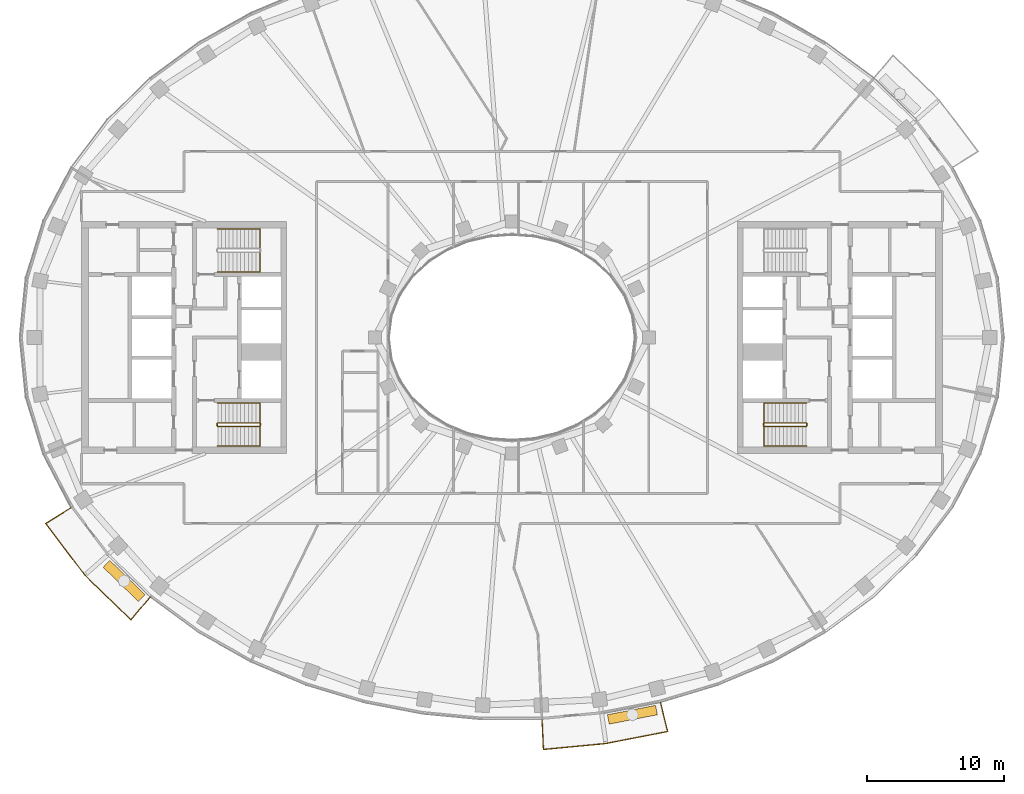
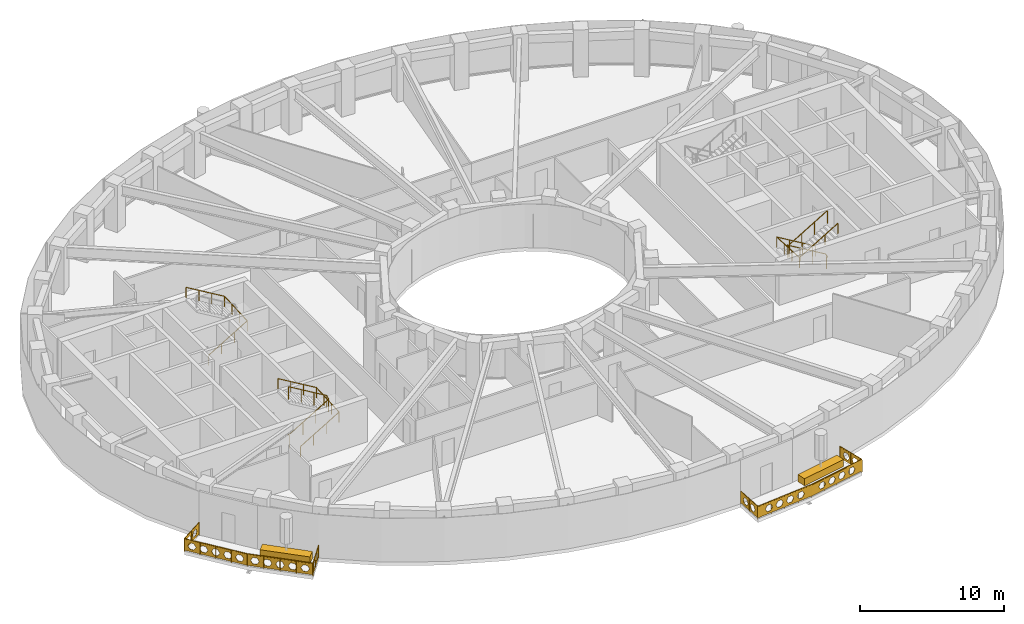
# One storey, part 14 of 16: 7 railings, 2 coverings.
"""IFC4 building model written with IfcOpenShell, lengths in metres."""

from ifc_helpers import new_model, si_unit, direction, frame, origin, origin_2d, place, context, subcontext, project, spatial, polyline, rectangle, outline, extrude, material, type_object, element, save


model = new_model("IFC4")

# Units and contexts
model_context = context("Model", 3, precision=1e-05, world=origin(), true_north=direction((0.0, 1.0)))
body_context = subcontext(model_context, "Body", "Model", "MODEL_VIEW")
ifc_project = project(units=[si_unit("LENGTHUNIT", "METRE"), si_unit("AREAUNIT", "SQUARE_METRE"), si_unit("VOLUMEUNIT", "CUBIC_METRE"), si_unit("PLANEANGLEUNIT", "RADIAN"), si_unit("MASSUNIT", "GRAM", prefix="KILO")], contexts=[model_context])

# Site, building, storey
site_placement = place(None, origin())
site = spatial("IfcSite", under=ifc_project, at=site_placement, CompositionType="ELEMENT")
building_placement = place(site_placement, origin())
building = spatial("IfcBuilding", under=site, at=building_placement, Name="Noorbagh Ring Tower", CompositionType="ELEMENT")
storey_placement = place(building_placement, frame((0.0, 0.0, 281.5)))
storey = spatial("IfcBuildingStorey", under=building, at=storey_placement, Name="L60", CompositionType="ELEMENT", Elevation=281.5)

# Railings
ifc_material_1 = material(Name="Stainless steel", Category="steel")
railing_type_1 = type_object("IfcRailingType", Name="CORE-STAIR-GUARD", PredefinedType="GUARDRAIL", material=ifc_material_1)
railing_1_placement = place(storey_placement, frame((-21.580078125, -6.449951171875, 0.0)))
element("IfcRailing", 1, at=railing_1_placement, inside=storey, type_object=railing_type_1, Name="L60 ST2 stair guard", PredefinedType="GUARDRAIL", context=body_context, shape_type="SweptSolid", body=[
    extrude(rectangle(XDim=0.048095703125, YDim=0.048095703125, at=origin_2d()), frame((0.0, 0.0, 1.076171875), z_axis=(0.0, 1.0, 0.0), x_axis=(-1.0, 0.0, 0.0)), (0.0, 0.0, 1.0), 0.14990234375),
    extrude(rectangle(XDim=0.048095703125, YDim=0.048095703125, at=origin_2d()), frame((0.0, 0.14990234375, 1.076171875), z_axis=(0.188775798145, -0.754182335027, 0.628945707965), x_axis=(0.970072785993, 0.242814311512, 0.0)), (0.0, 0.0, 1.0), 0.26513671875),
    extrude(rectangle(XDim=0.048095703125, YDim=0.048095703125, at=origin_2d()), frame((0.050048828125, -0.050048828125, 1.24267578125), z_axis=(0.859308565015, 0.0, 0.511457515432), x_axis=(0.0, 1.0, 0.0)), (0.0, 0.0, 1.0), 3.58447265625),
    extrude(rectangle(XDim=0.048095703125, YDim=0.048095703125, at=origin_2d()), frame((3.130126953125, -0.050048828125, 3.076171875), z_axis=(0.707106781187, 0.707106781187, 0.0), x_axis=(-0.707106781187, 0.707106781187, 0.0)), (0.0, 0.0, 1.0), 0.07080078125),
    extrude(rectangle(XDim=0.048095703125, YDim=0.048095703125, at=origin_2d()), frame((3.18017578125, 0.0, 3.076171875), z_axis=(0.0, 1.0, 0.0), x_axis=(-1.0, 0.0, 0.0)), (0.0, 0.0, 1.0), 0.14990234375),
    extrude(rectangle(XDim=0.048095703125, YDim=0.048095703125, at=origin_2d()), frame((3.18017578125, 0.14990234375, 3.076171875), z_axis=(-0.27628659633, 0.27628659633, 0.920506074601), x_axis=(-0.707106781187, -0.707106781187, 0.0)), (0.0, 0.0, 1.0), 0.18115234375),
    extrude(rectangle(XDim=0.048095703125, YDim=0.048095703125, at=origin_2d()), frame((3.130126953125, 0.199951171875, 3.24267578125), z_axis=(-0.859308565015, 0.0, 0.511457515432), x_axis=(0.0, -1.0, 0.0)), (0.0, 0.0, 1.0), 3.58447265625),
    extrude(rectangle(XDim=0.0419921875, YDim=0.0419921875, at=origin_2d()), origin(), (0.0, 0.0, 1.0), 1.052001953125),
    extrude(rectangle(XDim=0.0419921875, YDim=0.0419921875, at=origin_2d()), frame((1.07666015625, -0.050048828125, 0.77783203125)), (0.0, 0.0, 1.0), 1.052001953125),
    extrude(rectangle(XDim=0.0419921875, YDim=0.0419921875, at=origin_2d()), frame((2.103515625, -0.050048828125, 1.388916015625)), (0.0, 0.0, 1.0), 1.052001953125),
    extrude(rectangle(XDim=0.0419921875, YDim=0.0419921875, at=origin_2d()), frame((3.130126953125, -0.050048828125, 2.0)), (0.0, 0.0, 1.0), 1.052001953125),
    extrude(rectangle(XDim=0.0419921875, YDim=0.0419921875, at=origin_2d()), frame((3.130126953125, 0.199951171875, 2.166748046875)), (0.0, 0.0, 1.0), 1.052001953125),
    extrude(rectangle(XDim=0.0419921875, YDim=0.0419921875, at=origin_2d()), frame((2.103515625, 0.199951171875, 2.77783203125)), (0.0, 0.0, 1.0), 1.052001953125),
    extrude(rectangle(XDim=0.0419921875, YDim=0.0419921875, at=origin_2d()), frame((1.07666015625, 0.199951171875, 3.388916015625)), (0.0, 0.0, 1.0), 1.052001953125),
    extrude(rectangle(XDim=0.0419921875, YDim=0.0419921875, at=origin_2d()), frame((0.050048828125, 0.199951171875, 4.0)), (0.0, 0.0, 1.0), 1.052001953125),
])
railing_2_placement = place(storey_placement, frame((21.580078125, -6.300048828125, 0.0)))
element("IfcRailing", 2, at=railing_2_placement, inside=storey, type_object=railing_type_1, Name="L60 ST4 stair guard", PredefinedType="GUARDRAIL", context=body_context, shape_type="SweptSolid", body=[
    extrude(rectangle(XDim=0.048095703125, YDim=0.048095703125, at=origin_2d()), frame((0.0, 0.0, 1.076171875), z_axis=(0.0, -1.0, 0.0), x_axis=(1.0, 0.0, 0.0)), (0.0, 0.0, 1.0), 0.14990234375),
    extrude(rectangle(XDim=0.048095703125, YDim=0.048095703125, at=origin_2d()), frame((0.0, -0.14990234375, 1.076171875), z_axis=(-0.188775798145, 0.754182335027, 0.628945707965), x_axis=(-0.970072785993, -0.242814311512, 0.0)), (0.0, 0.0, 1.0), 0.26513671875),
    extrude(rectangle(XDim=0.048095703125, YDim=0.048095703125, at=origin_2d()), frame((-0.050048828125, 0.050048828125, 1.24267578125), z_axis=(-0.859308565015, 0.0, 0.511457515432), x_axis=(0.0, -1.0, 0.0)), (0.0, 0.0, 1.0), 3.58447265625),
    extrude(rectangle(XDim=0.048095703125, YDim=0.048095703125, at=origin_2d()), frame((-3.130126953125, 0.050048828125, 3.076171875), z_axis=(-0.707106781187, -0.707106781187, 0.0), x_axis=(0.707106781187, -0.707106781187, 0.0)), (0.0, 0.0, 1.0), 0.07080078125),
    extrude(rectangle(XDim=0.048095703125, YDim=0.048095703125, at=origin_2d()), frame((-3.18017578125, 0.0, 3.076171875), z_axis=(0.0, -1.0, 0.0), x_axis=(1.0, 0.0, 0.0)), (0.0, 0.0, 1.0), 0.14990234375),
    extrude(rectangle(XDim=0.048095703125, YDim=0.048095703125, at=origin_2d()), frame((-3.18017578125, -0.14990234375, 3.076171875), z_axis=(0.27628659633, -0.27628659633, 0.920506074601), x_axis=(0.707106781187, 0.707106781187, 0.0)), (0.0, 0.0, 1.0), 0.18115234375),
    extrude(rectangle(XDim=0.048095703125, YDim=0.048095703125, at=origin_2d()), frame((-3.130126953125, -0.199951171875, 3.24267578125), z_axis=(0.859308565015, 0.0, 0.511457515432), x_axis=(0.0, 1.0, 0.0)), (0.0, 0.0, 1.0), 3.58447265625),
    extrude(rectangle(XDim=0.0419921875, YDim=0.0419921875, at=origin_2d()), origin(), (0.0, 0.0, 1.0), 1.052001953125),
    extrude(rectangle(XDim=0.0419921875, YDim=0.0419921875, at=origin_2d()), frame((-1.07666015625, 0.050048828125, 0.77783203125)), (0.0, 0.0, 1.0), 1.052001953125),
    extrude(rectangle(XDim=0.0419921875, YDim=0.0419921875, at=origin_2d()), frame((-2.103515625, 0.050048828125, 1.388916015625)), (0.0, 0.0, 1.0), 1.052001953125),
    extrude(rectangle(XDim=0.0419921875, YDim=0.0419921875, at=origin_2d()), frame((-3.130126953125, 0.050048828125, 2.0)), (0.0, 0.0, 1.0), 1.052001953125),
    extrude(rectangle(XDim=0.0419921875, YDim=0.0419921875, at=origin_2d()), frame((-3.130126953125, -0.199951171875, 2.166748046875)), (0.0, 0.0, 1.0), 1.052001953125),
    extrude(rectangle(XDim=0.0419921875, YDim=0.0419921875, at=origin_2d()), frame((-2.103515625, -0.199951171875, 2.77783203125)), (0.0, 0.0, 1.0), 1.052001953125),
    extrude(rectangle(XDim=0.0419921875, YDim=0.0419921875, at=origin_2d()), frame((-1.07666015625, -0.199951171875, 3.388916015625)), (0.0, 0.0, 1.0), 1.052001953125),
    extrude(rectangle(XDim=0.0419921875, YDim=0.0419921875, at=origin_2d()), frame((-0.050048828125, -0.199951171875, 4.0)), (0.0, 0.0, 1.0), 1.052001953125),
])
ifc_material_2 = material(Name="Stainless steel", Category="steel")
railing_type_2 = type_object("IfcRailingType", Name="CORE-STAIR-HANDRAIL", PredefinedType="HANDRAIL", material=ifc_material_2)
railing_3_placement = place(storey_placement, frame((-21.530029296875, 4.800048828125, 0.166748046875)))
element("IfcRailing", 3, at=railing_3_placement, inside=storey, type_object=railing_type_2, Name="L60 ST1 stair handrail", PredefinedType="HANDRAIL", context=body_context, shape_type="SweptSolid", body=[
    extrude(rectangle(XDim=0.048095703125, YDim=0.048095703125, at=origin_2d()), frame((0.0, 0.0, 0.8759765625), z_axis=(0.859308565015, 0.0, 0.511457515432), x_axis=(0.0, 1.0, 0.0)), (0.0, 0.0, 1.0), 3.58447265625),
    extrude(rectangle(XDim=0.048095703125, YDim=0.048095703125, at=origin_2d()), frame((3.080078125, 0.0, 2.708984375), z_axis=(0.0, 0.998601747152, 0.052863509014), x_axis=(-1.0, 0.0, 0.0)), (0.0, 0.0, 1.0), 3.154296875),
    extrude(rectangle(XDim=0.048095703125, YDim=0.048095703125, at=origin_2d()), frame((3.080078125, 3.14990234375, 2.8759765625), z_axis=(-0.859308565015, 0.0, 0.511457515432), x_axis=(0.0, -1.0, 0.0)), (0.0, 0.0, 1.0), 3.58447265625),
    extrude(rectangle(XDim=0.0419921875, YDim=0.0419921875, at=origin_2d()), origin(), (0.0, 0.0, 1.0), 0.851806640625),
    extrude(rectangle(XDim=0.0419921875, YDim=0.0419921875, at=origin_2d()), frame((1.026611328125, 0.0, 0.611083984375)), (0.0, 0.0, 1.0), 0.851806640625),
    extrude(rectangle(XDim=0.0419921875, YDim=0.0419921875, at=origin_2d()), frame((2.053466796875, 0.0, 1.22216796875)), (0.0, 0.0, 1.0), 0.851806640625),
    extrude(rectangle(XDim=0.0419921875, YDim=0.0419921875, at=origin_2d()), frame((3.080078125, 0.0, 1.833251953125)), (0.0, 0.0, 1.0), 0.851806640625),
    extrude(rectangle(XDim=0.0419921875, YDim=0.0419921875, at=origin_2d()), frame((3.080078125, 1.050048828125, 1.888916015625)), (0.0, 0.0, 1.0), 0.851806640625),
    extrude(rectangle(XDim=0.0419921875, YDim=0.0419921875, at=origin_2d()), frame((3.080078125, 2.099853515625, 1.9443359375)), (0.0, 0.0, 1.0), 0.851806640625),
    extrude(rectangle(XDim=0.0419921875, YDim=0.0419921875, at=origin_2d()), frame((3.080078125, 3.14990234375, 2.0)), (0.0, 0.0, 1.0), 0.851806640625),
    extrude(rectangle(XDim=0.0419921875, YDim=0.0419921875, at=origin_2d()), frame((2.053466796875, 3.14990234375, 2.611083984375)), (0.0, 0.0, 1.0), 0.851806640625),
    extrude(rectangle(XDim=0.0419921875, YDim=0.0419921875, at=origin_2d()), frame((1.026611328125, 3.14990234375, 3.22216796875)), (0.0, 0.0, 1.0), 0.851806640625),
    extrude(rectangle(XDim=0.0419921875, YDim=0.0419921875, at=origin_2d()), frame((0.0, 3.14990234375, 3.833251953125)), (0.0, 0.0, 1.0), 0.851806640625),
])
railing_4_placement = place(storey_placement, frame((-21.530029296875, -7.949951171875, 0.166748046875)))
element("IfcRailing", 4, at=railing_4_placement, inside=storey, type_object=railing_type_2, Name="L60 ST2 stair handrail", PredefinedType="HANDRAIL", context=body_context, shape_type="SweptSolid", body=[
    extrude(rectangle(XDim=0.048095703125, YDim=0.048095703125, at=origin_2d()), frame((0.0, 0.0, 0.8759765625), z_axis=(0.859308565015, 0.0, 0.511457515432), x_axis=(0.0, 1.0, 0.0)), (0.0, 0.0, 1.0), 3.58447265625),
    extrude(rectangle(XDim=0.048095703125, YDim=0.048095703125, at=origin_2d()), frame((3.080078125, 0.0, 2.708984375), z_axis=(0.0, 0.998601747152, 0.052863509014), x_axis=(-1.0, 0.0, 0.0)), (0.0, 0.0, 1.0), 3.154296875),
    extrude(rectangle(XDim=0.048095703125, YDim=0.048095703125, at=origin_2d()), frame((3.080078125, 3.14990234375, 2.8759765625), z_axis=(-0.859308565015, 0.0, 0.511457515432), x_axis=(0.0, -1.0, 0.0)), (0.0, 0.0, 1.0), 3.58447265625),
    extrude(rectangle(XDim=0.0419921875, YDim=0.0419921875, at=origin_2d()), origin(), (0.0, 0.0, 1.0), 0.851806640625),
    extrude(rectangle(XDim=0.0419921875, YDim=0.0419921875, at=origin_2d()), frame((1.026611328125, 0.0, 0.611083984375)), (0.0, 0.0, 1.0), 0.851806640625),
    extrude(rectangle(XDim=0.0419921875, YDim=0.0419921875, at=origin_2d()), frame((2.053466796875, 0.0, 1.22216796875)), (0.0, 0.0, 1.0), 0.851806640625),
    extrude(rectangle(XDim=0.0419921875, YDim=0.0419921875, at=origin_2d()), frame((3.080078125, 0.0, 1.833251953125)), (0.0, 0.0, 1.0), 0.851806640625),
    extrude(rectangle(XDim=0.0419921875, YDim=0.0419921875, at=origin_2d()), frame((3.080078125, 1.050048828125, 1.888916015625)), (0.0, 0.0, 1.0), 0.851806640625),
    extrude(rectangle(XDim=0.0419921875, YDim=0.0419921875, at=origin_2d()), frame((3.080078125, 2.099853515625, 1.9443359375)), (0.0, 0.0, 1.0), 0.851806640625),
    extrude(rectangle(XDim=0.0419921875, YDim=0.0419921875, at=origin_2d()), frame((3.080078125, 3.14990234375, 2.0)), (0.0, 0.0, 1.0), 0.851806640625),
    extrude(rectangle(XDim=0.0419921875, YDim=0.0419921875, at=origin_2d()), frame((2.053466796875, 3.14990234375, 2.611083984375)), (0.0, 0.0, 1.0), 0.851806640625),
    extrude(rectangle(XDim=0.0419921875, YDim=0.0419921875, at=origin_2d()), frame((1.026611328125, 3.14990234375, 3.22216796875)), (0.0, 0.0, 1.0), 0.851806640625),
    extrude(rectangle(XDim=0.0419921875, YDim=0.0419921875, at=origin_2d()), frame((0.0, 3.14990234375, 3.833251953125)), (0.0, 0.0, 1.0), 0.851806640625),
])
railing_5_placement = place(storey_placement, frame((21.530029296875, -4.800048828125, 0.166748046875)))
element("IfcRailing", 5, at=railing_5_placement, inside=storey, type_object=railing_type_2, Name="L60 ST4 stair handrail", PredefinedType="HANDRAIL", context=body_context, shape_type="SweptSolid", body=[
    extrude(rectangle(XDim=0.048095703125, YDim=0.048095703125, at=origin_2d()), frame((0.0, 0.0, 0.8759765625), z_axis=(-0.859308565015, 0.0, 0.511457515432), x_axis=(0.0, -1.0, 0.0)), (0.0, 0.0, 1.0), 3.58447265625),
    extrude(rectangle(XDim=0.048095703125, YDim=0.048095703125, at=origin_2d()), frame((-3.080078125, 0.0, 2.708984375), z_axis=(0.0, -0.998601747152, 0.052863509014), x_axis=(1.0, 0.0, 0.0)), (0.0, 0.0, 1.0), 3.154296875),
    extrude(rectangle(XDim=0.048095703125, YDim=0.048095703125, at=origin_2d()), frame((-3.080078125, -3.14990234375, 2.8759765625), z_axis=(0.859308565015, 0.0, 0.511457515432), x_axis=(0.0, 1.0, 0.0)), (0.0, 0.0, 1.0), 3.58447265625),
    extrude(rectangle(XDim=0.0419921875, YDim=0.0419921875, at=origin_2d()), origin(), (0.0, 0.0, 1.0), 0.851806640625),
    extrude(rectangle(XDim=0.0419921875, YDim=0.0419921875, at=origin_2d()), frame((-1.026611328125, 0.0, 0.611083984375)), (0.0, 0.0, 1.0), 0.851806640625),
    extrude(rectangle(XDim=0.0419921875, YDim=0.0419921875, at=origin_2d()), frame((-2.053466796875, 0.0, 1.22216796875)), (0.0, 0.0, 1.0), 0.851806640625),
    extrude(rectangle(XDim=0.0419921875, YDim=0.0419921875, at=origin_2d()), frame((-3.080078125, 0.0, 1.833251953125)), (0.0, 0.0, 1.0), 0.851806640625),
    extrude(rectangle(XDim=0.0419921875, YDim=0.0419921875, at=origin_2d()), frame((-3.080078125, -1.050048828125, 1.888916015625)), (0.0, 0.0, 1.0), 0.851806640625),
    extrude(rectangle(XDim=0.0419921875, YDim=0.0419921875, at=origin_2d()), frame((-3.080078125, -2.099853515625, 1.9443359375)), (0.0, 0.0, 1.0), 0.851806640625),
    extrude(rectangle(XDim=0.0419921875, YDim=0.0419921875, at=origin_2d()), frame((-3.080078125, -3.14990234375, 2.0)), (0.0, 0.0, 1.0), 0.851806640625),
    extrude(rectangle(XDim=0.0419921875, YDim=0.0419921875, at=origin_2d()), frame((-2.053466796875, -3.14990234375, 2.611083984375)), (0.0, 0.0, 1.0), 0.851806640625),
    extrude(rectangle(XDim=0.0419921875, YDim=0.0419921875, at=origin_2d()), frame((-1.026611328125, -3.14990234375, 3.22216796875)), (0.0, 0.0, 1.0), 0.851806640625),
    extrude(rectangle(XDim=0.0419921875, YDim=0.0419921875, at=origin_2d()), frame((0.0, -3.14990234375, 3.833251953125)), (0.0, 0.0, 1.0), 0.851806640625),
])
ifc_material_3 = material(Name="Steel S275 black powder-coated", Category="steel")
railing_type_3 = type_object("IfcRailingType", Name="ENV-GUARD", PredefinedType="GUARDRAIL", material=ifc_material_3)
railing_6_placement = place(storey_placement, frame((-32.255126953125, -12.434814453125, 0.0)))
element("IfcRailing", 6, at=railing_6_placement, inside=storey, type_object=railing_type_3, Name="Balcony guard BS01", PredefinedType="GUARDRAIL", context=body_context, shape_type="SweptSolid", body=[
    extrude(rectangle(XDim=0.048095703125, YDim=0.048095703125, at=origin_2d()), frame((0.0, 0.0, 1.076171875), z_axis=(-0.844852397829, -0.534999463442, 0.0), x_axis=(0.534999463442, -0.844852397829, 0.0)), (0.0, 0.0, 1.0), 2.207763671875),
    extrude(rectangle(XDim=0.048095703125, YDim=0.048095703125, at=origin_2d()), frame((-1.865234375, -1.18115234375, 1.076171875), z_axis=(0.604001613322, -0.796983093362, 0.0), x_axis=(0.796983093362, 0.604001613322, 0.0)), (0.0, 0.0, 1.0), 4.7353515625),
    extrude(rectangle(XDim=0.048095703125, YDim=0.048095703125, at=origin_2d()), frame((0.994873046875, -4.955078125, 1.076171875), z_axis=(0.717212632946, -0.696854388766, 0.0), x_axis=(0.696854388766, 0.717212632946, 0.0)), (0.0, 0.0, 1.0), 4.700927734375),
    extrude(rectangle(XDim=0.048095703125, YDim=0.048095703125, at=origin_2d()), frame((4.366455078125, -8.23095703125, 1.076171875), z_axis=(0.646413574048, 0.762987215677, 0.0), x_axis=(-0.762987215677, 0.646413574048, 0.0)), (0.0, 0.0, 1.0), 2.205322265625),
    extrude(rectangle(XDim=0.0419921875, YDim=0.0419921875, at=origin_2d()), origin(), (0.0, 0.0, 1.0), 1.052001953125),
    extrude(rectangle(XDim=0.0419921875, YDim=0.0419921875, at=origin_2d()), frame((-0.9326171875, -0.590576171875, 0.0)), (0.0, 0.0, 1.0), 1.052001953125),
    extrude(rectangle(XDim=0.0419921875, YDim=0.0419921875, at=origin_2d()), frame((-1.865234375, -1.18115234375, 0.0)), (0.0, 0.0, 1.0), 1.052001953125),
    extrude(rectangle(XDim=0.0419921875, YDim=0.0419921875, at=origin_2d()), frame((-1.150146484375, -2.12451171875, 0.0)), (0.0, 0.0, 1.0), 1.052001953125),
    extrude(rectangle(XDim=0.0419921875, YDim=0.0419921875, at=origin_2d()), frame((-0.43505859375, -3.068115234375, 0.0)), (0.0, 0.0, 1.0), 1.052001953125),
    extrude(rectangle(XDim=0.0419921875, YDim=0.0419921875, at=origin_2d()), frame((0.27978515625, -4.01171875, 0.0)), (0.0, 0.0, 1.0), 1.052001953125),
    extrude(rectangle(XDim=0.0419921875, YDim=0.0419921875, at=origin_2d()), frame((0.994873046875, -4.955078125, 0.0)), (0.0, 0.0, 1.0), 1.052001953125),
    extrude(rectangle(XDim=0.0419921875, YDim=0.0419921875, at=origin_2d()), frame((1.837890625, -5.77392578125, 0.0)), (0.0, 0.0, 1.0), 1.052001953125),
    extrude(rectangle(XDim=0.0419921875, YDim=0.0419921875, at=origin_2d()), frame((2.6806640625, -6.593017578125, 0.0)), (0.0, 0.0, 1.0), 1.052001953125),
    extrude(rectangle(XDim=0.0419921875, YDim=0.0419921875, at=origin_2d()), frame((3.5234375, -7.412109375, 0.0)), (0.0, 0.0, 1.0), 1.052001953125),
    extrude(rectangle(XDim=0.0419921875, YDim=0.0419921875, at=origin_2d()), frame((4.366455078125, -8.23095703125, 0.0)), (0.0, 0.0, 1.0), 1.052001953125),
    extrude(rectangle(XDim=0.0419921875, YDim=0.0419921875, at=origin_2d()), frame((5.0791015625, -7.3896484375, 0.0)), (0.0, 0.0, 1.0), 1.052001953125),
    extrude(rectangle(XDim=0.0419921875, YDim=0.0419921875, at=origin_2d()), frame((5.7919921875, -6.54833984375, 0.0)), (0.0, 0.0, 1.0), 1.052001953125),
    extrude(outline(polyline([(0.0, 0.10009765625), (2.207763671875, 0.10009765625), (2.207763671875, 1.031982421875), (0.0, 1.031982421875), (0.0, 0.10009765625)]), holes=[polyline([(0.9638671875, 0.56591796875), (0.808837890625, 0.83447265625), (0.498779296875, 0.83447265625), (0.343994140625, 0.56591796875), (0.498779296875, 0.297607421875), (0.808837890625, 0.297607421875), (0.9638671875, 0.56591796875)]), polyline([(1.86376953125, 0.56591796875), (1.708984375, 0.83447265625), (1.39892578125, 0.83447265625), (1.243896484375, 0.56591796875), (1.39892578125, 0.297607421875), (1.708984375, 0.297607421875), (1.86376953125, 0.56591796875)])]), frame((0.00537109375, -0.008544921875, 0.0), z_axis=(-0.534999463442, 0.844852397829, 0.0), x_axis=(-0.844852397829, -0.534999463442, 0.0)), (0.0, 0.0, 1.0), 0.02001953125),
    extrude(outline(polyline([(0.0, 0.10009765625), (4.7353515625, 0.10009765625), (4.7353515625, 1.031982421875), (0.0, 1.031982421875), (0.0, 0.10009765625)]), holes=[polyline([(0.877685546875, 0.56591796875), (0.72265625, 0.83447265625), (0.41259765625, 0.83447265625), (0.257568359375, 0.56591796875), (0.41259765625, 0.297607421875), (0.72265625, 0.297607421875), (0.877685546875, 0.56591796875)]), polyline([(1.777587890625, 0.56591796875), (1.62255859375, 0.83447265625), (1.312744140625, 0.83447265625), (1.15771484375, 0.56591796875), (1.312744140625, 0.297607421875), (1.62255859375, 0.297607421875), (1.777587890625, 0.56591796875)]), polyline([(2.677734375, 0.56591796875), (2.522705078125, 0.83447265625), (2.212646484375, 0.83447265625), (2.0576171875, 0.56591796875), (2.212646484375, 0.297607421875), (2.522705078125, 0.297607421875), (2.677734375, 0.56591796875)]), polyline([(3.57763671875, 0.56591796875), (3.422607421875, 0.83447265625), (3.112548828125, 0.83447265625), (2.95751953125, 0.56591796875), (3.112548828125, 0.297607421875), (3.422607421875, 0.297607421875), (3.57763671875, 0.56591796875)]), polyline([(4.4775390625, 0.56591796875), (4.32275390625, 0.83447265625), (4.0126953125, 0.83447265625), (3.857666015625, 0.56591796875), (4.0126953125, 0.297607421875), (4.32275390625, 0.297607421875), (4.4775390625, 0.56591796875)])]), frame((-1.857177734375, -1.175048828125, 0.0), z_axis=(-0.796983093362, -0.604001613322, 0.0), x_axis=(0.604001613322, -0.796983093362, 0.0)), (0.0, 0.0, 1.0), 0.02001953125),
    extrude(outline(polyline([(0.0, 0.10009765625), (4.700927734375, 0.10009765625), (4.700927734375, 1.031982421875), (0.0, 1.031982421875), (0.0, 0.10009765625)]), holes=[polyline([(0.860595703125, 0.56591796875), (0.70556640625, 0.83447265625), (0.3955078125, 0.83447265625), (0.240478515625, 0.56591796875), (0.3955078125, 0.297607421875), (0.70556640625, 0.297607421875), (0.860595703125, 0.56591796875)]), polyline([(1.760498046875, 0.56591796875), (1.60546875, 0.83447265625), (1.29541015625, 0.83447265625), (1.140380859375, 0.56591796875), (1.29541015625, 0.297607421875), (1.60546875, 0.297607421875), (1.760498046875, 0.56591796875)]), polyline([(2.660400390625, 0.56591796875), (2.50537109375, 0.83447265625), (2.195556640625, 0.83447265625), (2.04052734375, 0.56591796875), (2.195556640625, 0.297607421875), (2.50537109375, 0.297607421875), (2.660400390625, 0.56591796875)]), polyline([(3.560546875, 0.56591796875), (3.405517578125, 0.83447265625), (3.095458984375, 0.83447265625), (2.9404296875, 0.56591796875), (3.095458984375, 0.297607421875), (3.405517578125, 0.297607421875), (3.560546875, 0.56591796875)]), polyline([(4.46044921875, 0.56591796875), (4.305419921875, 0.83447265625), (3.995361328125, 0.83447265625), (3.840576171875, 0.56591796875), (3.995361328125, 0.297607421875), (4.305419921875, 0.297607421875), (4.46044921875, 0.56591796875)])]), frame((1.001953125, -4.947998046875, 0.0), z_axis=(-0.696854388766, -0.717212632946, 0.0), x_axis=(0.717212632946, -0.696854388766, 0.0)), (0.0, 0.0, 1.0), 0.02001953125),
    extrude(outline(polyline([(0.0, 0.10009765625), (2.205322265625, 0.10009765625), (2.205322265625, 1.031982421875), (0.0, 1.031982421875), (0.0, 0.10009765625)]), holes=[polyline([(0.962646484375, 0.56591796875), (0.8076171875, 0.83447265625), (0.49755859375, 0.83447265625), (0.342529296875, 0.56591796875), (0.49755859375, 0.297607421875), (0.8076171875, 0.297607421875), (0.962646484375, 0.56591796875)]), polyline([(1.862548828125, 0.56591796875), (1.707763671875, 0.83447265625), (1.397705078125, 0.83447265625), (1.24267578125, 0.56591796875), (1.397705078125, 0.297607421875), (1.707763671875, 0.297607421875), (1.862548828125, 0.56591796875)])]), frame((4.35888671875, -8.224609375, 0.0), z_axis=(0.762987215677, -0.646413574048, 0.0), x_axis=(0.646413574048, 0.762987215677, 0.0)), (0.0, 0.0, 1.0), 0.02001953125),
])
railing_7_placement = place(storey_placement, frame((2.193115234375, -27.947998046875, 0.0)))
element("IfcRailing", 7, at=railing_7_placement, inside=storey, type_object=railing_type_3, Name="Balcony guard BS04", PredefinedType="GUARDRAIL", context=body_context, shape_type="SweptSolid", body=[
    extrude(rectangle(XDim=0.048095703125, YDim=0.048095703125, at=origin_2d()), frame((0.0, 0.0, 1.076171875), z_axis=(0.047554616162, -0.998868639252, 0.0), x_axis=(0.998868639252, 0.047554616162, 0.0)), (0.0, 0.0, 1.0), 2.202392578125),
    extrude(rectangle(XDim=0.048095703125, YDim=0.048095703125, at=origin_2d()), frame((0.104736328125, -2.199951171875, 1.076171875), z_axis=(0.995477555764, 0.094997031379, 0.0), x_axis=(-0.094997031379, 0.995477555764, 0.0)), (0.0, 0.0, 1.0), 4.59765625),
    extrude(rectangle(XDim=0.048095703125, YDim=0.048095703125, at=origin_2d()), frame((4.681640625, -1.76318359375, 1.076171875), z_axis=(0.981625049064, 0.1908199755, 0.0), x_axis=(-0.1908199755, 0.981625049064, 0.0)), (0.0, 0.0, 1.0), 4.603271484375),
    extrude(rectangle(XDim=0.048095703125, YDim=0.048095703125, at=origin_2d()), frame((9.200439453125, -0.884765625, 1.076171875), z_axis=(-0.239848558412, 0.970810315679, 0.0), x_axis=(-0.970810315679, -0.239848558412, 0.0)), (0.0, 0.0, 1.0), 2.20263671875),
    extrude(rectangle(XDim=0.0419921875, YDim=0.0419921875, at=origin_2d()), origin(), (0.0, 0.0, 1.0), 1.052001953125),
    extrude(rectangle(XDim=0.0419921875, YDim=0.0419921875, at=origin_2d()), frame((0.05224609375, -1.10009765625, 0.0)), (0.0, 0.0, 1.0), 1.052001953125),
    extrude(rectangle(XDim=0.0419921875, YDim=0.0419921875, at=origin_2d()), frame((0.104736328125, -2.199951171875, 0.0)), (0.0, 0.0, 1.0), 1.052001953125),
    extrude(rectangle(XDim=0.0419921875, YDim=0.0419921875, at=origin_2d()), frame((1.2490234375, -2.0908203125, 0.0)), (0.0, 0.0, 1.0), 1.052001953125),
    extrude(rectangle(XDim=0.0419921875, YDim=0.0419921875, at=origin_2d()), frame((2.39306640625, -1.9814453125, 0.0)), (0.0, 0.0, 1.0), 1.052001953125),
    extrude(rectangle(XDim=0.0419921875, YDim=0.0419921875, at=origin_2d()), frame((3.537353515625, -1.872314453125, 0.0)), (0.0, 0.0, 1.0), 1.052001953125),
    extrude(rectangle(XDim=0.0419921875, YDim=0.0419921875, at=origin_2d()), frame((4.681640625, -1.76318359375, 0.0)), (0.0, 0.0, 1.0), 1.052001953125),
    extrude(rectangle(XDim=0.0419921875, YDim=0.0419921875, at=origin_2d()), frame((5.811279296875, -1.54345703125, 0.0)), (0.0, 0.0, 1.0), 1.052001953125),
    extrude(rectangle(XDim=0.0419921875, YDim=0.0419921875, at=origin_2d()), frame((6.94091796875, -1.323974609375, 0.0)), (0.0, 0.0, 1.0), 1.052001953125),
    extrude(rectangle(XDim=0.0419921875, YDim=0.0419921875, at=origin_2d()), frame((8.07080078125, -1.1044921875, 0.0)), (0.0, 0.0, 1.0), 1.052001953125),
    extrude(rectangle(XDim=0.0419921875, YDim=0.0419921875, at=origin_2d()), frame((9.200439453125, -0.884765625, 0.0)), (0.0, 0.0, 1.0), 1.052001953125),
    extrude(rectangle(XDim=0.0419921875, YDim=0.0419921875, at=origin_2d()), frame((8.936279296875, 0.1845703125, 0.0)), (0.0, 0.0, 1.0), 1.052001953125),
    extrude(rectangle(XDim=0.0419921875, YDim=0.0419921875, at=origin_2d()), frame((8.672119140625, 1.253662109375, 0.0)), (0.0, 0.0, 1.0), 1.052001953125),
    extrude(outline(polyline([(0.0, 0.10009765625), (2.202392578125, 0.10009765625), (2.202392578125, 1.031982421875), (0.0, 1.031982421875), (0.0, 0.10009765625)]), holes=[polyline([(0.961181640625, 0.56591796875), (0.80615234375, 0.83447265625), (0.496337890625, 0.83447265625), (0.34130859375, 0.56591796875), (0.496337890625, 0.297607421875), (0.80615234375, 0.297607421875), (0.961181640625, 0.56591796875)]), polyline([(1.861328125, 0.56591796875), (1.706298828125, 0.83447265625), (1.396240234375, 0.83447265625), (1.2412109375, 0.56591796875), (1.396240234375, 0.297607421875), (1.706298828125, 0.297607421875), (1.861328125, 0.56591796875)])]), frame((0.010009765625, 0.00048828125, 0.0), z_axis=(-0.998868639252, -0.047554616162, 0.0), x_axis=(0.047554616162, -0.998868639252, 0.0)), (0.0, 0.0, 1.0), 0.02001953125),
    extrude(outline(polyline([(0.0, 0.10009765625), (4.59765625, 0.10009765625), (4.59765625, 1.031982421875), (0.0, 1.031982421875), (0.0, 0.10009765625)]), holes=[polyline([(1.2587890625, 0.56591796875), (1.103759765625, 0.83447265625), (0.7939453125, 0.83447265625), (0.638916015625, 0.56591796875), (0.7939453125, 0.297607421875), (1.103759765625, 0.297607421875), (1.2587890625, 0.56591796875)]), polyline([(2.158935546875, 0.56591796875), (2.00390625, 0.83447265625), (1.69384765625, 0.83447265625), (1.538818359375, 0.56591796875), (1.69384765625, 0.297607421875), (2.00390625, 0.297607421875), (2.158935546875, 0.56591796875)]), polyline([(3.058837890625, 0.56591796875), (2.90380859375, 0.83447265625), (2.59375, 0.83447265625), (2.43896484375, 0.56591796875), (2.59375, 0.297607421875), (2.90380859375, 0.297607421875), (3.058837890625, 0.56591796875)]), polyline([(3.958740234375, 0.56591796875), (3.803955078125, 0.83447265625), (3.493896484375, 0.83447265625), (3.3388671875, 0.56591796875), (3.493896484375, 0.297607421875), (3.803955078125, 0.297607421875), (3.958740234375, 0.56591796875)])]), frame((0.103759765625, -2.18994140625, 0.0), z_axis=(0.094997031379, -0.995477555764, 0.0), x_axis=(0.995477555764, 0.094997031379, 0.0)), (0.0, 0.0, 1.0), 0.02001953125),
    extrude(outline(polyline([(0.0, 0.10009765625), (4.603271484375, 0.10009765625), (4.603271484375, 1.031982421875), (0.0, 1.031982421875), (0.0, 0.10009765625)]), holes=[polyline([(1.26171875, 0.56591796875), (1.106689453125, 0.83447265625), (0.796630859375, 0.83447265625), (0.6416015625, 0.56591796875), (0.796630859375, 0.297607421875), (1.106689453125, 0.297607421875), (1.26171875, 0.56591796875)]), polyline([(2.16162109375, 0.56591796875), (2.006591796875, 0.83447265625), (1.69677734375, 0.83447265625), (1.541748046875, 0.56591796875), (1.69677734375, 0.297607421875), (2.006591796875, 0.297607421875), (2.16162109375, 0.56591796875)]), polyline([(3.061767578125, 0.56591796875), (2.90673828125, 0.83447265625), (2.5966796875, 0.83447265625), (2.441650390625, 0.56591796875), (2.5966796875, 0.297607421875), (2.90673828125, 0.297607421875), (3.061767578125, 0.56591796875)]), polyline([(3.961669921875, 0.56591796875), (3.806640625, 0.83447265625), (3.49658203125, 0.83447265625), (3.341796875, 0.56591796875), (3.49658203125, 0.297607421875), (3.806640625, 0.297607421875), (3.961669921875, 0.56591796875)])]), frame((4.6796875, -1.75341796875, 0.0), z_axis=(0.1908199755, -0.981625049064, 0.0), x_axis=(0.981625049064, 0.1908199755, 0.0)), (0.0, 0.0, 1.0), 0.02001953125),
    extrude(outline(polyline([(0.0, 0.10009765625), (2.20263671875, 0.10009765625), (2.20263671875, 1.031982421875), (0.0, 1.031982421875), (0.0, 0.10009765625)]), holes=[polyline([(0.96142578125, 0.56591796875), (0.806396484375, 0.83447265625), (0.496337890625, 0.83447265625), (0.34130859375, 0.56591796875), (0.496337890625, 0.297607421875), (0.806396484375, 0.297607421875), (0.96142578125, 0.56591796875)]), polyline([(1.861328125, 0.56591796875), (1.706298828125, 0.83447265625), (1.396240234375, 0.83447265625), (1.241455078125, 0.56591796875), (1.396240234375, 0.297607421875), (1.706298828125, 0.297607421875), (1.861328125, 0.56591796875)])]), frame((9.190673828125, -0.88720703125, 0.0), z_axis=(0.970810315679, 0.239848558412, 0.0), x_axis=(-0.239848558412, 0.970810315679, 0.0)), (0.0, 0.0, 1.0), 0.02001953125),
])

# Coverings
ifc_material_4 = material(Name="Concrete C30/37 planter with soil", Category="concrete")
covering_type = type_object("IfcCoveringType", Name="ENV-PLANTER", PredefinedType="CLADDING", material=ifc_material_4)
covering_1_placement = place(storey_placement, frame((-28.3837890625, -17.814208984375, 0.0), z_axis=(0.0, 0.0, 1.0), x_axis=(0.717224548362, -0.696842125038, 0.0)))
element("IfcCovering", 8, at=covering_1_placement, inside=storey, type_object=covering_type, Name="PLANTER BS01", ObjectType="PLANTER", PredefinedType="CLADDING", context=body_context, shape_type="SweptSolid", body=[
    extrude(rectangle(XDim=3.584228515625, YDim=0.699951171875, at=origin_2d()), origin(), (0.0, 0.0, 1.0), 0.60009765625),
])
covering_2_placement = place(storey_placement, frame((8.807861328125, -27.603515625, 0.0), z_axis=(0.0, 0.0, 1.0), x_axis=(0.981624952922, 0.190820470077, 0.0)))
element("IfcCovering", 9, at=covering_2_placement, inside=storey, type_object=covering_type, Name="PLANTER BS04", ObjectType="PLANTER", PredefinedType="CLADDING", context=body_context, shape_type="SweptSolid", body=[
    extrude(rectangle(XDim=3.586181640625, YDim=0.699951171875, at=origin_2d()), origin(), (0.0, 0.0, 1.0), 0.60009765625),
])

save(model, "model.ifc")
